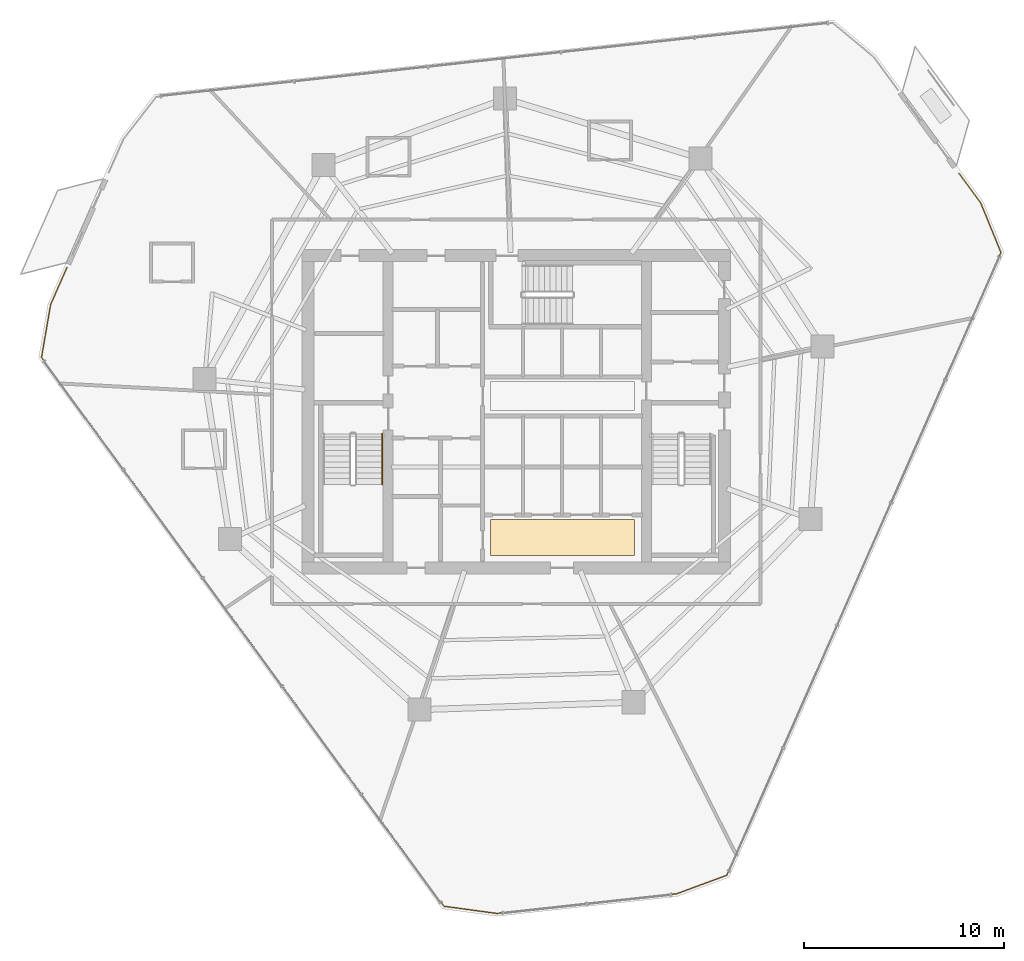
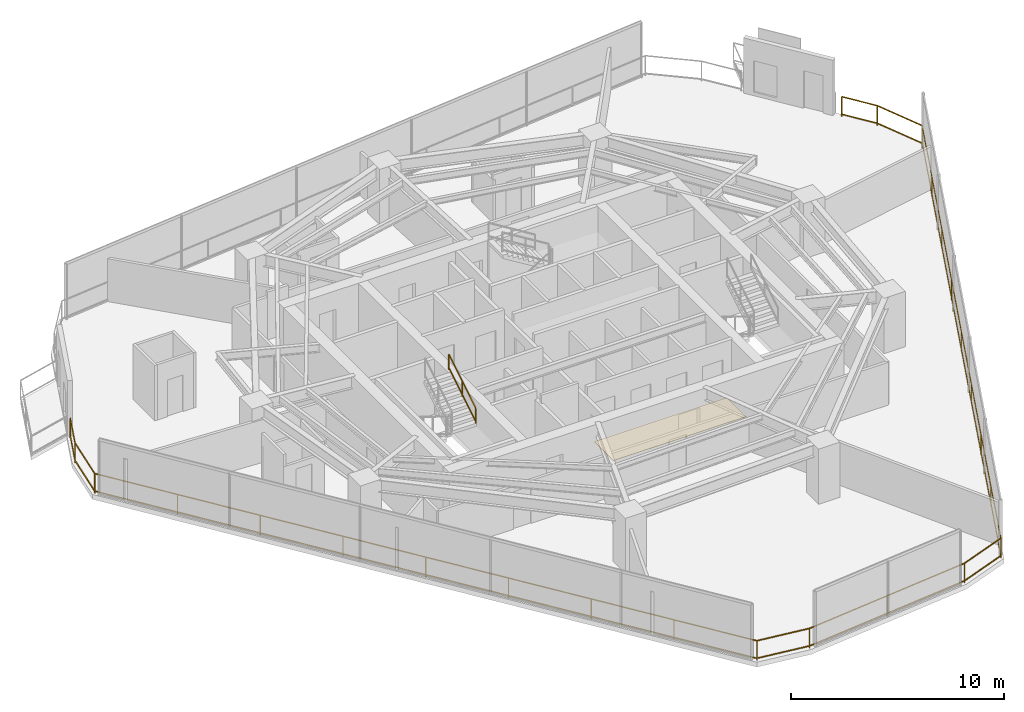
# One storey, part 29 of 30: 2 railings, 1 covering.
"""IFC4 building model written with IfcOpenShell, lengths in metres."""

from ifc_helpers import new_model, si_unit, direction, frame, origin, origin_2d, place, context, subcontext, project, spatial, rectangle, extrude, material, layer, layer_set, type_object, element, save


model = new_model("IFC4")

# Units and contexts
model_context = context("Model", 3, precision=1e-05, world=origin(), true_north=direction((0.0, 1.0)))
body_context = subcontext(model_context, "Body", "Model", "MODEL_VIEW")
ifc_project = project(units=[si_unit("LENGTHUNIT", "METRE"), si_unit("AREAUNIT", "SQUARE_METRE"), si_unit("VOLUMEUNIT", "CUBIC_METRE"), si_unit("PLANEANGLEUNIT", "RADIAN"), si_unit("MASSUNIT", "GRAM", prefix="KILO")], contexts=[model_context])

# Site, building, storey
site_placement = place(None, origin())
site = spatial("IfcSite", under=ifc_project, at=site_placement, CompositionType="ELEMENT")
building_placement = place(site_placement, origin())
building = spatial("IfcBuilding", under=site, at=building_placement, Name="Qarnah Convention Tower", CompositionType="ELEMENT")
storey_placement = place(building_placement, frame((0.0, 0.0, 90.14990234375)))
storey = spatial("IfcBuildingStorey", under=building, at=storey_placement, Name="L23", CompositionType="ELEMENT", Elevation=90.14990234375)

# Covering
ifc_material_1 = material(Name="Porcelain stone floor tile", Category="masonry")
ifc_layer = layer(ifc_material_1, 0.02001953125)
ifc_layer_set = layer_set([ifc_layer], Name="Porcelain stone floor tile")
covering_type = type_object("IfcCoveringType", Name="COV-FLOOR-20", PredefinedType="FLOORING", material=ifc_layer_set)
covering_placement = place(storey_placement, frame((39.52001953125, 20.1201171875, 0.0), z_axis=(0.0, 0.0, 1.0), x_axis=(1.0, 0.0, 0.0)))
element("IfcCovering", 1, at=covering_placement, inside=storey, type_object=covering_type, Name="L23 lift lobby porcelain stone flooring", PredefinedType="FLOORING", context=body_context, shape_type="SweptSolid", body=[
    extrude(rectangle(XDim=7.199951171875, YDim=1.800048828125, at=origin_2d()), origin(), (0.0, 0.0, 1.0), 0.02001953125),
])

# Railings
ifc_material_2 = material(Name="Black anodised aluminium", Category="aluminium")
railing_type_1 = type_object("IfcRailingType", Name="RL-EXT-GUARD-1150", PredefinedType="GUARDRAIL", material=ifc_material_2)
railing_1_placement = place(storey_placement, frame((59.324951171875, 38.31005859375, 0.0)))
element("IfcRailing", 2, at=railing_1_placement, inside=storey, type_object=railing_type_1, Name="L23 slab-edge perimeter safety guard 02", PredefinedType="GUARDRAIL", context=body_context, shape_type="SweptSolid", body=[
    extrude(rectangle(XDim=0.048095703125, YDim=0.048095703125, at=origin_2d()), frame((0.0, 0.0, 1.1259765625), z_axis=(0.591375243357, -0.806396503927, 0.0), x_axis=(0.806396503927, 0.591375243357, 0.0)), (0.0, 0.0, 1.0), 1.828125),
    extrude(rectangle(XDim=0.048095703125, YDim=0.048095703125, at=origin_2d()), frame((0.0, 0.0, 0.1201171875), z_axis=(0.591375243357, -0.806396503927, 0.0), x_axis=(0.806396503927, 0.591375243357, 0.0)), (0.0, 0.0, 1.0), 1.828125),
    extrude(rectangle(XDim=0.048095703125, YDim=0.048095703125, at=origin_2d()), frame((1.0810546875, -1.47412109375, 1.1259765625), z_axis=(0.378664829163, -0.925533871425, 0.0), x_axis=(0.925533871425, 0.378664829163, 0.0)), (0.0, 0.0, 1.0), 2.675048828125),
    extrude(rectangle(XDim=0.048095703125, YDim=0.048095703125, at=origin_2d()), frame((1.0810546875, -1.47412109375, 0.1201171875), z_axis=(0.378664829163, -0.925533871425, 0.0), x_axis=(0.925533871425, 0.378664829163, 0.0)), (0.0, 0.0, 1.0), 2.675048828125),
    extrude(rectangle(XDim=0.048095703125, YDim=0.048095703125, at=origin_2d()), frame((2.093994140625, -3.949951171875, 1.1259765625), z_axis=(-0.402921026612, -0.915234749293, 0.0), x_axis=(0.915234749293, -0.402921026612, 0.0)), (0.0, 0.0, 1.0), 33.996826171875),
    extrude(rectangle(XDim=0.048095703125, YDim=0.048095703125, at=origin_2d()), frame((2.093994140625, -3.949951171875, 0.1201171875), z_axis=(-0.402921026612, -0.915234749293, 0.0), x_axis=(0.915234749293, -0.402921026612, 0.0)), (0.0, 0.0, 1.0), 33.996826171875),
    extrude(rectangle(XDim=0.048095703125, YDim=0.048095703125, at=origin_2d()), frame((-11.60400390625, -35.06494140625, 1.1259765625), z_axis=(-0.938262036865, -0.345925353477, 0.0), x_axis=(0.345925353477, -0.938262036865, 0.0)), (0.0, 0.0, 1.0), 2.674072265625),
    extrude(rectangle(XDim=0.048095703125, YDim=0.048095703125, at=origin_2d()), frame((-11.60400390625, -35.06494140625, 0.1201171875), z_axis=(-0.938262036865, -0.345925353477, 0.0), x_axis=(0.345925353477, -0.938262036865, 0.0)), (0.0, 0.0, 1.0), 2.674072265625),
    extrude(rectangle(XDim=0.048095703125, YDim=0.048095703125, at=origin_2d()), frame((-14.113037109375, -35.989990234375, 1.1259765625), z_axis=(-0.994078403706, -0.108665207337, 0.0), x_axis=(0.108665207337, -0.994078403706, 0.0)), (0.0, 0.0, 1.0), 9.02734375),
    extrude(rectangle(XDim=0.048095703125, YDim=0.048095703125, at=origin_2d()), frame((-14.113037109375, -35.989990234375, 0.1201171875), z_axis=(-0.994078403706, -0.108665207337, 0.0), x_axis=(0.108665207337, -0.994078403706, 0.0)), (0.0, 0.0, 1.0), 9.02734375),
    extrude(rectangle(XDim=0.048095703125, YDim=0.048095703125, at=origin_2d()), frame((-23.0869140625, -36.970947265625, 1.1259765625), z_axis=(-0.99085736566, 0.134913605384, 0.0), x_axis=(-0.134913605384, -0.99085736566, 0.0)), (0.0, 0.0, 1.0), 2.674560546875),
    extrude(rectangle(XDim=0.048095703125, YDim=0.048095703125, at=origin_2d()), frame((-23.0869140625, -36.970947265625, 0.1201171875), z_axis=(-0.99085736566, 0.134913605384, 0.0), x_axis=(-0.134913605384, -0.99085736566, 0.0)), (0.0, 0.0, 1.0), 2.674560546875),
    extrude(rectangle(XDim=0.048095703125, YDim=0.048095703125, at=origin_2d()), frame((-25.737060546875, -36.610107421875, 1.1259765625), z_axis=(-0.591168133453, 0.806548348204, 0.0), x_axis=(-0.806548348204, -0.591168133453, 0.0)), (0.0, 0.0, 1.0), 33.996826171875),
    extrude(rectangle(XDim=0.048095703125, YDim=0.048095703125, at=origin_2d()), frame((-25.737060546875, -36.610107421875, 0.1201171875), z_axis=(-0.591168133453, 0.806548348204, 0.0), x_axis=(-0.806548348204, -0.591168133453, 0.0)), (0.0, 0.0, 1.0), 33.996826171875),
    extrude(rectangle(XDim=0.048095703125, YDim=0.048095703125, at=origin_2d()), frame((-45.8349609375, -9.18994140625, 1.1259765625), z_axis=(0.169491002554, 0.985531734676, 0.0), x_axis=(-0.985531734676, 0.169491002554, 0.0)), (0.0, 0.0, 1.0), 2.67333984375),
    extrude(rectangle(XDim=0.048095703125, YDim=0.048095703125, at=origin_2d()), frame((-45.8349609375, -9.18994140625, 0.1201171875), z_axis=(0.169491002554, 0.985531734676, 0.0), x_axis=(-0.985531734676, 0.169491002554, 0.0)), (0.0, 0.0, 1.0), 2.67333984375),
    extrude(rectangle(XDim=0.048095703125, YDim=0.048095703125, at=origin_2d()), frame((-45.3818359375, -6.55517578125, 1.1259765625), z_axis=(0.402826844808, 0.915276205909, 0.0), x_axis=(-0.915276205909, 0.402826844808, 0.0)), (0.0, 0.0, 1.0), 2.0400390625),
    extrude(rectangle(XDim=0.048095703125, YDim=0.048095703125, at=origin_2d()), frame((-45.3818359375, -6.55517578125, 0.1201171875), z_axis=(0.402826844808, 0.915276205909, 0.0), x_axis=(-0.915276205909, 0.402826844808, 0.0)), (0.0, 0.0, 1.0), 2.0400390625),
    extrude(rectangle(XDim=0.0419921875, YDim=0.0419921875, at=origin_2d()), origin(), (0.0, 0.0, 1.0), 1.101806640625),
    extrude(rectangle(XDim=0.0419921875, YDim=0.0419921875, at=origin_2d()), frame((1.0810546875, -1.47412109375, 0.0)), (0.0, 0.0, 1.0), 1.101806640625),
    extrude(rectangle(XDim=0.0419921875, YDim=0.0419921875, at=origin_2d()), frame((2.093994140625, -3.949951171875, 0.0)), (0.0, 0.0, 1.0), 1.101806640625),
    extrude(rectangle(XDim=0.0419921875, YDim=0.0419921875, at=origin_2d()), frame((0.3818359375, -7.83935546875, 0.0)), (0.0, 0.0, 1.0), 1.101806640625),
    extrude(rectangle(XDim=0.0419921875, YDim=0.0419921875, at=origin_2d()), frame((-1.33056640625, -11.728759765625, 0.0)), (0.0, 0.0, 1.0), 1.101806640625),
    extrude(rectangle(XDim=0.0419921875, YDim=0.0419921875, at=origin_2d()), frame((-3.042724609375, -15.6181640625, 0.0)), (0.0, 0.0, 1.0), 1.101806640625),
    extrude(rectangle(XDim=0.0419921875, YDim=0.0419921875, at=origin_2d()), frame((-4.7548828125, -19.50732421875, 0.0)), (0.0, 0.0, 1.0), 1.101806640625),
    extrude(rectangle(XDim=0.0419921875, YDim=0.0419921875, at=origin_2d()), frame((-6.46728515625, -23.396728515625, 0.0)), (0.0, 0.0, 1.0), 1.101806640625),
    extrude(rectangle(XDim=0.0419921875, YDim=0.0419921875, at=origin_2d()), frame((-8.179443359375, -27.2861328125, 0.0)), (0.0, 0.0, 1.0), 1.101806640625),
    extrude(rectangle(XDim=0.0419921875, YDim=0.0419921875, at=origin_2d()), frame((-9.891845703125, -31.175537109375, 0.0)), (0.0, 0.0, 1.0), 1.101806640625),
    extrude(rectangle(XDim=0.0419921875, YDim=0.0419921875, at=origin_2d()), frame((-11.60400390625, -35.06494140625, 0.0)), (0.0, 0.0, 1.0), 1.101806640625),
    extrude(rectangle(XDim=0.0419921875, YDim=0.0419921875, at=origin_2d()), frame((-14.113037109375, -35.989990234375, 0.0)), (0.0, 0.0, 1.0), 1.101806640625),
    extrude(rectangle(XDim=0.0419921875, YDim=0.0419921875, at=origin_2d()), frame((-18.60009765625, -36.48046875, 0.0)), (0.0, 0.0, 1.0), 1.101806640625),
    extrude(rectangle(XDim=0.0419921875, YDim=0.0419921875, at=origin_2d()), frame((-23.0869140625, -36.970947265625, 0.0)), (0.0, 0.0, 1.0), 1.101806640625),
    extrude(rectangle(XDim=0.0419921875, YDim=0.0419921875, at=origin_2d()), frame((-25.737060546875, -36.610107421875, 0.0)), (0.0, 0.0, 1.0), 1.101806640625),
    extrude(rectangle(XDim=0.0419921875, YDim=0.0419921875, at=origin_2d()), frame((-28.249267578125, -33.1826171875, 0.0)), (0.0, 0.0, 1.0), 1.101806640625),
    extrude(rectangle(XDim=0.0419921875, YDim=0.0419921875, at=origin_2d()), frame((-30.761474609375, -29.755126953125, 0.0)), (0.0, 0.0, 1.0), 1.101806640625),
    extrude(rectangle(XDim=0.0419921875, YDim=0.0419921875, at=origin_2d()), frame((-33.273681640625, -26.32763671875, 0.0)), (0.0, 0.0, 1.0), 1.101806640625),
    extrude(rectangle(XDim=0.0419921875, YDim=0.0419921875, at=origin_2d()), frame((-35.7861328125, -22.89990234375, 0.0)), (0.0, 0.0, 1.0), 1.101806640625),
    extrude(rectangle(XDim=0.0419921875, YDim=0.0419921875, at=origin_2d()), frame((-38.29833984375, -19.472412109375, 0.0)), (0.0, 0.0, 1.0), 1.101806640625),
    extrude(rectangle(XDim=0.0419921875, YDim=0.0419921875, at=origin_2d()), frame((-40.810546875, -16.044921875, 0.0)), (0.0, 0.0, 1.0), 1.101806640625),
    extrude(rectangle(XDim=0.0419921875, YDim=0.0419921875, at=origin_2d()), frame((-43.32275390625, -12.617431640625, 0.0)), (0.0, 0.0, 1.0), 1.101806640625),
    extrude(rectangle(XDim=0.0419921875, YDim=0.0419921875, at=origin_2d()), frame((-45.8349609375, -9.18994140625, 0.0)), (0.0, 0.0, 1.0), 1.101806640625),
    extrude(rectangle(XDim=0.0419921875, YDim=0.0419921875, at=origin_2d()), frame((-45.3818359375, -6.55517578125, 0.0)), (0.0, 0.0, 1.0), 1.101806640625),
    extrude(rectangle(XDim=0.0419921875, YDim=0.0419921875, at=origin_2d()), frame((-44.56005859375, -4.68798828125, 0.0)), (0.0, 0.0, 1.0), 1.101806640625),
])
ifc_material_3 = material(Name="Structural steel S355JR", Category="steel")
railing_type_2 = type_object("IfcRailingType", Name="RL-STAIR-HAND-900", PredefinedType="HANDRAIL", material=ifc_material_3)
railing_2_placement = place(storey_placement, frame((30.5, 22.780029296875, 1.897705078125)))
element("IfcRailing", 3, at=railing_2_placement, inside=storey, type_object=railing_type_2, Name="L23 ST-1 stair handrail 2", PredefinedType="HANDRAIL", context=body_context, shape_type="SweptSolid", body=[
    extrude(rectangle(XDim=0.048095703125, YDim=0.048095703125, at=origin_2d()), frame((0.0, 0.0, 0.8759765625), z_axis=(0.0, 0.851400495292, 0.524516154772), x_axis=(-1.0, 0.0, 0.0)), (0.0, 0.0, 1.0), 2.9599609375),
    extrude(rectangle(XDim=0.048095703125, YDim=0.048095703125, at=origin_2d()), frame((0.0, 0.0, 0.1201171875), z_axis=(0.0, 0.851400495292, 0.524516154772), x_axis=(-1.0, 0.0, 0.0)), (0.0, 0.0, 1.0), 2.9599609375),
    extrude(rectangle(XDim=0.0419921875, YDim=0.0419921875, at=origin_2d()), origin(), (0.0, 0.0, 1.0), 0.851806640625),
    extrude(rectangle(XDim=0.0419921875, YDim=0.0419921875, at=origin_2d()), frame((0.0, 1.260009765625, 0.7763671875)), (0.0, 0.0, 1.0), 0.851806640625),
    extrude(rectangle(XDim=0.0419921875, YDim=0.0419921875, at=origin_2d()), frame((0.0, 2.52001953125, 1.552490234375)), (0.0, 0.0, 1.0), 0.851806640625),
])

save(model, "model.ifc")
